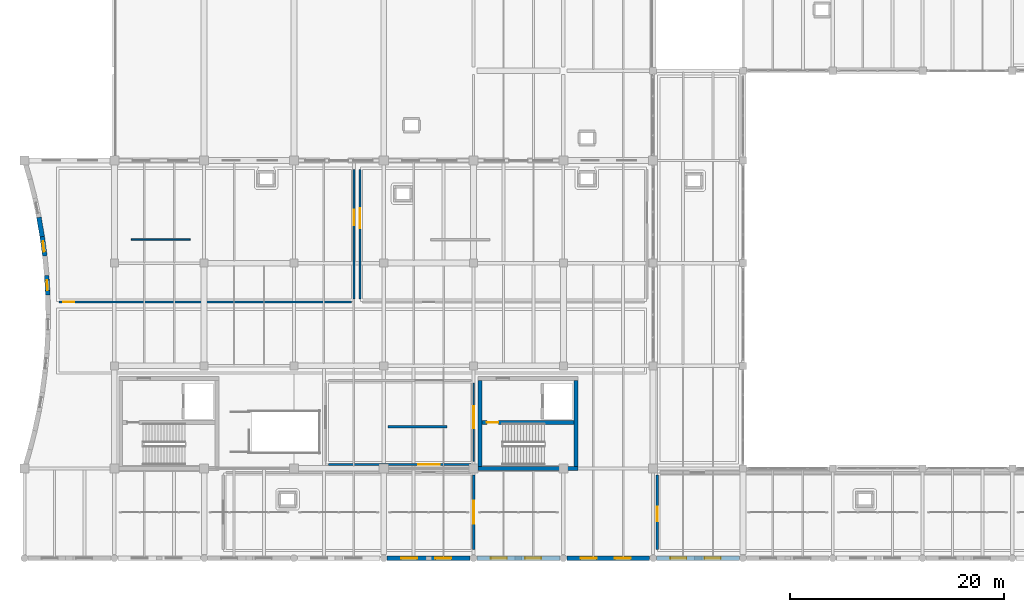
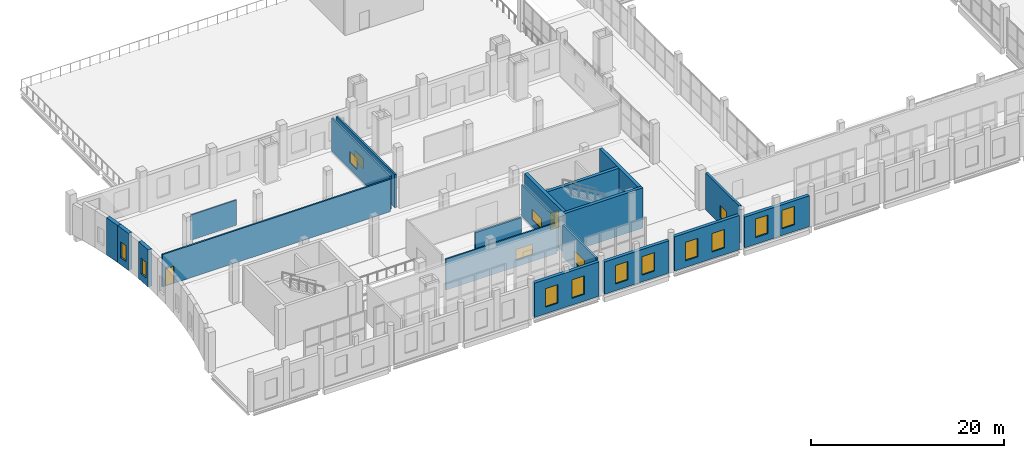
# One storey, part 55 of 73: 20 walls, 16 windows, 2 doors, 18 openings.
"""IFC4 building model written with IfcOpenShell, lengths in metres."""

from ifc_helpers import new_model, si_unit, direction, frame, frame_2d, origin, place, context, subcontext, project, spatial, rectangle, extrude, material, layer, layer_set, type_object, element, fill, save


model = new_model("IFC4")

# Units and contexts
model_context = context("Model", 3, precision=1e-05, world=origin(), true_north=direction((0.0, 1.0)))
body_context = subcontext(model_context, "Body", "Model", "MODEL_VIEW")
ifc_project = project(units=[si_unit("LENGTHUNIT", "METRE"), si_unit("AREAUNIT", "SQUARE_METRE"), si_unit("VOLUMEUNIT", "CUBIC_METRE"), si_unit("PLANEANGLEUNIT", "RADIAN"), si_unit("MASSUNIT", "GRAM", prefix="KILO")], contexts=[model_context])

# Site, building, storey
site_placement = place(None, origin())
site = spatial("IfcSite", under=ifc_project, at=site_placement, CompositionType="ELEMENT")
building_placement = place(site_placement, origin())
building = spatial("IfcBuilding", under=site, at=building_placement, Name="Zulmaris Art Gallery", CompositionType="ELEMENT")
storey_placement = place(building_placement, frame((0.0, 0.0, 10.5)))
storey = spatial("IfcBuildingStorey", under=building, at=storey_placement, Name="L02", CompositionType="ELEMENT", Elevation=10.5)

# Wall, opening, window
ifc_material_1 = material(Name="Omani Cream Limestone Ashlar Masonry", Category="masonry")
ifc_layer_1 = layer(ifc_material_1, 0.43994140625)
ifc_layer_set_1 = layer_set([ifc_layer_1], Name="Omani Cream Limestone Ashlar Masonry")
wall_type_1 = type_object("IfcWallType", Name="ENV-WALL-EW01", PredefinedType="SOLIDWALL", material=ifc_layer_set_1)
wall_1_placement = place(storey_placement, frame((26.176025390625, 37.82763671875, 0.0), z_axis=(0.0, 0.0, 1.0), x_axis=(-0.057023168702, 0.998372855316, 0.0)))
wall_1 = element("IfcWall", 1, at=wall_1_placement, inside=storey, type_object=wall_type_1, Name="L02 Concave Scooped Limestone Chord 10", PredefinedType="SOLIDWALL", context=body_context, shape_type="SweptSolid", body=[
    extrude(rectangle(XDim=1.828125, YDim=0.43994140625, at=frame_2d((0.9140625, 0.0))), origin(), (0.0, 0.0, 1.0), 4.699951171875),
])
opening_1_placement = place(wall_1_placement, frame((0.419921875, 0.0, 0.89990234375)))
opening_1 = element("IfcOpeningElement", 2, at=opening_1_placement, cuts=wall_1, Name="Opening W06", PredefinedType="OPENING", context=body_context, shape_type="SweptSolid", body=[
    extrude(rectangle(XDim=0.949951171875, YDim=2.0, at=frame_2d((0.47509765625, 1.0))), frame((0.0, 0.22998046875, 0.0), z_axis=(0.0, -1.0, 0.0), x_axis=(1.0, 0.0, 0.0)), (0.0, 0.0, 1.0), 0.4599609375),
])
ifc_material_2 = material(Name="Art Deco Stepped-Head Pier Window", Category="glass")
window_type_1 = type_object("IfcWindowType", Name="WIN-W06", PartitioningType="SINGLE_PANEL", PredefinedType="WINDOW", material=ifc_material_2)
window_1_placement = place(opening_1_placement, origin())
window_1 = element("IfcWindow", 3, at=window_1_placement, inside=storey, type_object=window_type_1, Name="L02 exterior window W06", OverallHeight=2.0, OverallWidth=0.949951171875, PartitioningType="SINGLE_PANEL", PredefinedType="WINDOW", context=body_context, shape_type="SweptSolid", body=[
    extrude(rectangle(XDim=0.949951171875, YDim=2.0, at=frame_2d((0.47509765625, 1.0))), frame((0.0, 0.030029296875, 0.0), z_axis=(0.0, -1.0, 0.0), x_axis=(1.0, 0.0, 0.0)), (0.0, 0.0, 1.0), 0.06005859375),
])
fill(opening_1, window_1)

wall_2_placement = place(storey_placement, frame((25.89794921875, 41.472412109375, 0.0), z_axis=(0.0, 0.0, 1.0), x_axis=(-0.132872205914, 0.991133178183, 0.0)))
wall_2 = element("IfcWall", 4, at=wall_2_placement, inside=storey, type_object=wall_type_1, Name="L02 Concave Scooped Limestone Chord 12", PredefinedType="SOLIDWALL", context=body_context, shape_type="SweptSolid", body=[
    extrude(rectangle(XDim=1.828125, YDim=0.43994140625, at=frame_2d((0.9140625, 0.0))), origin(), (0.0, 0.0, 1.0), 4.699951171875),
])
opening_2_placement = place(wall_2_placement, frame((0.419921875, 0.0, 0.89990234375)))
opening_2 = element("IfcOpeningElement", 5, at=opening_2_placement, cuts=wall_2, Name="Opening W06", PredefinedType="OPENING", context=body_context, shape_type="SweptSolid", body=[
    extrude(rectangle(XDim=0.949951171875, YDim=2.0, at=frame_2d((0.47509765625, 1.0))), frame((0.0, 0.22998046875, 0.0), z_axis=(0.0, -1.0, 0.0), x_axis=(1.0, 0.0, 0.0)), (0.0, 0.0, 1.0), 0.4599609375),
])
window_2_placement = place(opening_2_placement, origin())
window_2 = element("IfcWindow", 6, at=window_2_placement, inside=storey, type_object=window_type_1, Name="L02 exterior window W06", OverallHeight=2.0, OverallWidth=0.949951171875, PartitioningType="SINGLE_PANEL", PredefinedType="WINDOW", context=body_context, shape_type="SweptSolid", body=[
    extrude(rectangle(XDim=0.949951171875, YDim=2.0, at=frame_2d((0.47509765625, 1.0))), frame((0.0, 0.030029296875, 0.0), z_axis=(0.0, -1.0, 0.0), x_axis=(1.0, 0.0, 0.0)), (0.0, 0.0, 1.0), 0.06005859375),
])
fill(opening_2, window_2)

# Wall
wall_3_placement = place(storey_placement, frame((25.655029296875, 43.284423828125, 0.0), z_axis=(0.0, 0.0, 1.0), x_axis=(-0.170546420939, 0.985349642667, 0.0)))
element("IfcWall", 7, at=wall_3_placement, inside=storey, type_object=wall_type_1, Name="L02 Concave Scooped Limestone Chord 13", PredefinedType="SOLIDWALL", context=body_context, shape_type="SweptSolid", body=[
    extrude(rectangle(XDim=1.828125, YDim=0.43994140625, at=frame_2d((0.9140625, 0.0))), origin(), (0.0, 0.0, 1.0), 4.699951171875),
])

# Wall, openings, windows
ifc_material_3 = material(Name="Omani Desert Rose Limestone Cladding Wall", Category="masonry")
ifc_layer_2 = layer(ifc_material_3, 0.389892578125)
ifc_layer_set_2 = layer_set([ifc_layer_2], Name="Omani Desert Rose Limestone Cladding Wall")
wall_type_2 = type_object("IfcWallType", Name="ENV-WALL-EW02", PredefinedType="SOLIDWALL", material=ifc_layer_set_2)
wall_4_placement = place(storey_placement, frame((57.927001953125, 13.199951171875, 0.0), z_axis=(0.0, 0.0, 1.0), x_axis=(1.0, 0.0, 0.0)))
wall_4 = element("IfcWall", 8, at=wall_4_placement, inside=storey, type_object=wall_type_2, Name="L02 V2 South Street Wall 5", PredefinedType="SOLIDWALL", context=body_context, shape_type="SweptSolid", body=[
    extrude(rectangle(XDim=7.74609375, YDim=0.389892578125, at=frame_2d((3.873046875, 0.0))), origin(), (0.0, 0.0, 1.0), 4.35009765625),
])
opening_3_placement = place(wall_4_placement, frame((1.29296875, 0.0, 0.85009765625)))
opening_3 = element("IfcOpeningElement", 9, at=opening_3_placement, cuts=wall_4, Name="Opening W07", PredefinedType="OPENING", context=body_context, shape_type="SweptSolid", body=[
    extrude(rectangle(XDim=1.5, YDim=2.35009765625, at=frame_2d((0.75, 1.175048828125))), frame((0.0, 0.204833984375, 0.0), z_axis=(0.0, -1.0, 0.0), x_axis=(1.0, 0.0, 0.0)), (0.0, 0.0, 1.0), 0.409912109375),
])
opening_4_placement = place(wall_4_placement, frame((4.492919921875, 0.0, 0.85009765625)))
opening_4 = element("IfcOpeningElement", 10, at=opening_4_placement, cuts=wall_4, Name="Opening W07", PredefinedType="OPENING", context=body_context, shape_type="SweptSolid", body=[
    extrude(rectangle(XDim=1.5, YDim=2.35009765625, at=frame_2d((0.75, 1.175048828125))), frame((0.0, 0.204833984375, 0.0), z_axis=(0.0, -1.0, 0.0), x_axis=(1.0, 0.0, 0.0)), (0.0, 0.0, 1.0), 0.409912109375),
])
ifc_material_4 = material(Name="Gallery Cloister Bronze Window", Category="glass")
window_type_2 = type_object("IfcWindowType", Name="WIN-W07", PartitioningType="SINGLE_PANEL", PredefinedType="WINDOW", material=ifc_material_4)
window_3_placement = place(opening_3_placement, origin())
window_3 = element("IfcWindow", 11, at=window_3_placement, inside=storey, type_object=window_type_2, Name="L02 exterior window W07", OverallHeight=2.35009765625, OverallWidth=1.5, PartitioningType="SINGLE_PANEL", PredefinedType="WINDOW", context=body_context, shape_type="SweptSolid", body=[
    extrude(rectangle(XDim=1.5, YDim=2.35009765625, at=frame_2d((0.75, 1.175048828125))), frame((0.0, 0.030029296875, 0.0), z_axis=(0.0, -1.0, 0.0), x_axis=(1.0, 0.0, 0.0)), (0.0, 0.0, 1.0), 0.06005859375),
])
fill(opening_3, window_3)
window_4_placement = place(opening_4_placement, origin())
window_4 = element("IfcWindow", 12, at=window_4_placement, inside=storey, type_object=window_type_2, Name="L02 exterior window W07", OverallHeight=2.35009765625, OverallWidth=1.5, PartitioningType="SINGLE_PANEL", PredefinedType="WINDOW", context=body_context, shape_type="SweptSolid", body=[
    extrude(rectangle(XDim=1.5, YDim=2.35009765625, at=frame_2d((0.75, 1.175048828125))), frame((0.0, 0.030029296875, 0.0), z_axis=(0.0, -1.0, 0.0), x_axis=(1.0, 0.0, 0.0)), (0.0, 0.0, 1.0), 0.06005859375),
])
fill(opening_4, window_4)

wall_5_placement = place(storey_placement, frame((66.326904296875, 13.199951171875, 0.0), z_axis=(0.0, 0.0, 1.0), x_axis=(1.0, 0.0, 0.0)))
wall_5 = element("IfcWall", 13, at=wall_5_placement, inside=storey, type_object=wall_type_2, Name="L02 V2 South Street Wall 6", PredefinedType="SOLIDWALL", context=body_context, shape_type="SweptSolid", body=[
    extrude(rectangle(XDim=7.74609375, YDim=0.389892578125, at=frame_2d((3.873046875, 0.0))), origin(), (0.0, 0.0, 1.0), 4.10009765625),
])
opening_5_placement = place(wall_5_placement, frame((1.29296875, 0.0, 0.85009765625)))
opening_5 = element("IfcOpeningElement", 14, at=opening_5_placement, cuts=wall_5, Name="Opening W07", PredefinedType="OPENING", context=body_context, shape_type="SweptSolid", body=[
    extrude(rectangle(XDim=1.5, YDim=2.35009765625, at=frame_2d((0.75, 1.175048828125))), frame((0.0, 0.204833984375, 0.0), z_axis=(0.0, -1.0, 0.0), x_axis=(1.0, 0.0, 0.0)), (0.0, 0.0, 1.0), 0.409912109375),
])
opening_6_placement = place(wall_5_placement, frame((4.492919921875, 0.0, 0.85009765625)))
opening_6 = element("IfcOpeningElement", 15, at=opening_6_placement, cuts=wall_5, Name="Opening W07", PredefinedType="OPENING", context=body_context, shape_type="SweptSolid", body=[
    extrude(rectangle(XDim=1.5, YDim=2.35009765625, at=frame_2d((0.75, 1.175048828125))), frame((0.0, 0.204833984375, 0.0), z_axis=(0.0, -1.0, 0.0), x_axis=(1.0, 0.0, 0.0)), (0.0, 0.0, 1.0), 0.409912109375),
])
window_5_placement = place(opening_5_placement, origin())
window_5 = element("IfcWindow", 16, at=window_5_placement, inside=storey, type_object=window_type_2, Name="L02 exterior window W07", OverallHeight=2.35009765625, OverallWidth=1.5, PartitioningType="SINGLE_PANEL", PredefinedType="WINDOW", context=body_context, shape_type="SweptSolid", body=[
    extrude(rectangle(XDim=1.5, YDim=2.35009765625, at=frame_2d((0.75, 1.175048828125))), frame((0.0, 0.030029296875, 0.0), z_axis=(0.0, -1.0, 0.0), x_axis=(1.0, 0.0, 0.0)), (0.0, 0.0, 1.0), 0.06005859375),
])
fill(opening_5, window_5)
window_6_placement = place(opening_6_placement, origin())
window_6 = element("IfcWindow", 17, at=window_6_placement, inside=storey, type_object=window_type_2, Name="L02 exterior window W07", OverallHeight=2.35009765625, OverallWidth=1.5, PartitioningType="SINGLE_PANEL", PredefinedType="WINDOW", context=body_context, shape_type="SweptSolid", body=[
    extrude(rectangle(XDim=1.5, YDim=2.35009765625, at=frame_2d((0.75, 1.175048828125))), frame((0.0, 0.030029296875, 0.0), z_axis=(0.0, -1.0, 0.0), x_axis=(1.0, 0.0, 0.0)), (0.0, 0.0, 1.0), 0.06005859375),
])
fill(opening_6, window_6)

wall_6_placement = place(storey_placement, frame((74.72705078125, 13.199951171875, 0.0), z_axis=(0.0, 0.0, 1.0), x_axis=(1.0, 0.0, 0.0)))
wall_6 = element("IfcWall", 18, at=wall_6_placement, inside=storey, type_object=wall_type_2, Name="L02 V2 South Street Wall 7", PredefinedType="SOLIDWALL", context=body_context, shape_type="SweptSolid", body=[
    extrude(rectangle(XDim=7.745849609375, YDim=0.389892578125, at=frame_2d((3.873046875, 0.0))), origin(), (0.0, 0.0, 1.0), 4.35009765625),
])
opening_7_placement = place(wall_6_placement, frame((1.29296875, 0.0, 0.85009765625)))
opening_7 = element("IfcOpeningElement", 19, at=opening_7_placement, cuts=wall_6, Name="Opening W07", PredefinedType="OPENING", context=body_context, shape_type="SweptSolid", body=[
    extrude(rectangle(XDim=1.5, YDim=2.35009765625, at=frame_2d((0.75, 1.175048828125))), frame((0.0, 0.204833984375, 0.0), z_axis=(0.0, -1.0, 0.0), x_axis=(1.0, 0.0, 0.0)), (0.0, 0.0, 1.0), 0.409912109375),
])
opening_8_placement = place(wall_6_placement, frame((4.492919921875, 0.0, 0.85009765625)))
opening_8 = element("IfcOpeningElement", 20, at=opening_8_placement, cuts=wall_6, Name="Opening W07", PredefinedType="OPENING", context=body_context, shape_type="SweptSolid", body=[
    extrude(rectangle(XDim=1.5, YDim=2.35009765625, at=frame_2d((0.75, 1.175048828125))), frame((0.0, 0.204833984375, 0.0), z_axis=(0.0, -1.0, 0.0), x_axis=(1.0, 0.0, 0.0)), (0.0, 0.0, 1.0), 0.409912109375),
])
window_7_placement = place(opening_7_placement, origin())
window_7 = element("IfcWindow", 21, at=window_7_placement, inside=storey, type_object=window_type_2, Name="L02 exterior window W07", OverallHeight=2.35009765625, OverallWidth=1.5, PartitioningType="SINGLE_PANEL", PredefinedType="WINDOW", context=body_context, shape_type="SweptSolid", body=[
    extrude(rectangle(XDim=1.5, YDim=2.35009765625, at=frame_2d((0.75, 1.175048828125))), frame((0.0, 0.030029296875, 0.0), z_axis=(0.0, -1.0, 0.0), x_axis=(1.0, 0.0, 0.0)), (0.0, 0.0, 1.0), 0.06005859375),
])
fill(opening_7, window_7)
window_8_placement = place(opening_8_placement, origin())
window_8 = element("IfcWindow", 22, at=window_8_placement, inside=storey, type_object=window_type_2, Name="L02 exterior window W07", OverallHeight=2.35009765625, OverallWidth=1.5, PartitioningType="SINGLE_PANEL", PredefinedType="WINDOW", context=body_context, shape_type="SweptSolid", body=[
    extrude(rectangle(XDim=1.5, YDim=2.35009765625, at=frame_2d((0.75, 1.175048828125))), frame((0.0, 0.030029296875, 0.0), z_axis=(0.0, -1.0, 0.0), x_axis=(1.0, 0.0, 0.0)), (0.0, 0.0, 1.0), 0.06005859375),
])
fill(opening_8, window_8)

wall_7_placement = place(storey_placement, frame((83.126953125, 13.199951171875, 0.0), z_axis=(0.0, 0.0, 1.0), x_axis=(1.0, 0.0, 0.0)))
wall_7 = element("IfcWall", 23, at=wall_7_placement, inside=storey, type_object=wall_type_2, Name="L02 V2 South Street Wall 8", PredefinedType="SOLIDWALL", context=body_context, shape_type="SweptSolid", body=[
    extrude(rectangle(XDim=7.74609375, YDim=0.389892578125, at=frame_2d((3.873046875, 0.0))), origin(), (0.0, 0.0, 1.0), 3.89990234375),
])
opening_9_placement = place(wall_7_placement, frame((1.29296875, 0.0, 0.85009765625)))
opening_9 = element("IfcOpeningElement", 24, at=opening_9_placement, cuts=wall_7, Name="Opening W07", PredefinedType="OPENING", context=body_context, shape_type="SweptSolid", body=[
    extrude(rectangle(XDim=1.5, YDim=2.35009765625, at=frame_2d((0.75, 1.175048828125))), frame((0.0, 0.204833984375, 0.0), z_axis=(0.0, -1.0, 0.0), x_axis=(1.0, 0.0, 0.0)), (0.0, 0.0, 1.0), 0.409912109375),
])
opening_10_placement = place(wall_7_placement, frame((4.492919921875, 0.0, 0.85009765625)))
opening_10 = element("IfcOpeningElement", 25, at=opening_10_placement, cuts=wall_7, Name="Opening W07", PredefinedType="OPENING", context=body_context, shape_type="SweptSolid", body=[
    extrude(rectangle(XDim=1.5, YDim=2.35009765625, at=frame_2d((0.75, 1.175048828125))), frame((0.0, 0.204833984375, 0.0), z_axis=(0.0, -1.0, 0.0), x_axis=(1.0, 0.0, 0.0)), (0.0, 0.0, 1.0), 0.409912109375),
])
window_9_placement = place(opening_9_placement, origin())
window_9 = element("IfcWindow", 26, at=window_9_placement, inside=storey, type_object=window_type_2, Name="L02 exterior window W07", OverallHeight=2.35009765625, OverallWidth=1.5, PartitioningType="SINGLE_PANEL", PredefinedType="WINDOW", context=body_context, shape_type="SweptSolid", body=[
    extrude(rectangle(XDim=1.5, YDim=2.35009765625, at=frame_2d((0.75, 1.175048828125))), frame((0.0, 0.030029296875, 0.0), z_axis=(0.0, -1.0, 0.0), x_axis=(1.0, 0.0, 0.0)), (0.0, 0.0, 1.0), 0.06005859375),
])
fill(opening_9, window_9)
window_10_placement = place(opening_10_placement, origin())
window_10 = element("IfcWindow", 27, at=window_10_placement, inside=storey, type_object=window_type_2, Name="L02 exterior window W07", OverallHeight=2.35009765625, OverallWidth=1.5, PartitioningType="SINGLE_PANEL", PredefinedType="WINDOW", context=body_context, shape_type="SweptSolid", body=[
    extrude(rectangle(XDim=1.5, YDim=2.35009765625, at=frame_2d((0.75, 1.175048828125))), frame((0.0, 0.030029296875, 0.0), z_axis=(0.0, -1.0, 0.0), x_axis=(1.0, 0.0, 0.0)), (0.0, 0.0, 1.0), 0.06005859375),
])
fill(opening_10, window_10)

# Walls
ifc_material_5 = material(Name="Demountable Timber-Clad Exhibition Wall A", Category="wood")
ifc_layer_3 = layer(ifc_material_5, 0.152099609375)
ifc_layer_set_3 = layer_set([ifc_layer_3], Name="Demountable Timber-Clad Exhibition Wall A")
wall_type_3 = type_object("IfcWallType", Name="IWALL-MW01", PredefinedType="MOVABLE", material=ifc_layer_set_3)
wall_8_placement = place(storey_placement, frame((34.0, 43.0, 0.0), z_axis=(0.0, 0.0, 1.0), x_axis=(1.0, 0.0, 0.0)))
element("IfcWall", 28, at=wall_8_placement, inside=storey, type_object=wall_type_3, Name="L02 Movable Gallery Display Wall 9", PredefinedType="MOVABLE", context=body_context, shape_type="SweptSolid", body=[
    extrude(rectangle(XDim=5.5, YDim=0.152099609375, at=frame_2d((2.75, 0.0))), origin(), (0.0, 0.0, 1.0), 3.199951171875),
])
ifc_material_6 = material(Name="Freestanding Sculpture Plinth Screen Wall C", Category="timber")
ifc_layer_4 = layer(ifc_material_6, 0.2119140625)
ifc_layer_set_4 = layer_set([ifc_layer_4], Name="Freestanding Sculpture Plinth Screen Wall C")
wall_type_4 = type_object("IfcWallType", Name="IWALL-MW03", PredefinedType="MOVABLE", material=ifc_layer_set_4)
wall_9_placement = place(storey_placement, frame((58.0, 25.5, 0.0), z_axis=(0.0, 0.0, 1.0), x_axis=(1.0, 0.0, 0.0)))
element("IfcWall", 29, at=wall_9_placement, inside=storey, type_object=wall_type_4, Name="L02 Movable Gallery Display Wall 11", PredefinedType="MOVABLE", context=body_context, shape_type="SweptSolid", body=[
    extrude(rectangle(XDim=5.5, YDim=0.2119140625, at=frame_2d((2.75, 0.0))), origin(), (0.0, 0.0, 1.0), 3.199951171875),
])

# Wall, opening, window
ifc_material_7 = material(Name="Acoustic Studio Separation Partition", Category="gypsum")
ifc_layer_5 = layer(ifc_material_7, 0.175048828125)
ifc_layer_set_5 = layer_set([ifc_layer_5], Name="Acoustic Studio Separation Partition")
wall_type_5 = type_object("IfcWallType", Name="IWALL-PW06", PredefinedType="PARTITIONING", material=ifc_layer_set_5)
wall_10_placement = place(storey_placement, frame((52.429931640625, 21.97998046875, 0.0), z_axis=(0.0, 0.0, 1.0), x_axis=(1.0, 0.0, 0.0)))
wall_10 = element("IfcWall", 30, at=wall_10_placement, inside=storey, type_object=wall_type_5, Name="Works on Paper & Rare Prints Gallery S partition", PredefinedType="PARTITIONING", context=body_context, shape_type="SweptSolid", body=[
    extrude(rectangle(XDim=13.340087890625, YDim=0.175048828125, at=frame_2d((6.669921875, 0.0))), origin(), (0.0, 0.0, 1.0), 3.89990234375),
])
opening_11_placement = place(wall_10_placement, frame((8.39990234375, 0.0, 0.89990234375)))
opening_11 = element("IfcOpeningElement", 31, at=opening_11_placement, cuts=wall_10, Name="Opening IW10", PredefinedType="OPENING", context=body_context, shape_type="SweptSolid", body=[
    extrude(rectangle(XDim=2.02001953125, YDim=1.320068359375, at=frame_2d((1.010009765625, 0.66015625))), frame((0.0, 0.097412109375, 0.0), z_axis=(0.0, -1.0, 0.0), x_axis=(1.0, 0.0, 0.0)), (0.0, 0.0, 1.0), 0.195068359375),
])
ifc_material_8 = material(Name="Seminar Acoustic Viewing Window", Category="glass")
window_type_3 = type_object("IfcWindowType", Name="IWIN-IW10", PartitioningType="SINGLE_PANEL", PredefinedType="WINDOW", material=ifc_material_8)
window_11_placement = place(opening_11_placement, origin())
window_11 = element("IfcWindow", 32, at=window_11_placement, inside=storey, type_object=window_type_3, Name="L02 interior observation window IW10", OverallHeight=1.320068359375, OverallWidth=2.02001953125, PartitioningType="SINGLE_PANEL", PredefinedType="WINDOW", context=body_context, shape_type="SweptSolid", body=[
    extrude(rectangle(XDim=2.02001953125, YDim=1.320068359375, at=frame_2d((1.010009765625, 0.66015625))), frame((0.0, 0.030029296875, 0.0), z_axis=(0.0, -1.0, 0.0), x_axis=(1.0, 0.0, 0.0)), (0.0, 0.0, 1.0), 0.06005859375),
])
fill(opening_11, window_11)

wall_11_placement = place(storey_placement, frame((66.02001953125, 22.22998046875, 0.0), z_axis=(0.0, 0.0, 1.0), x_axis=(0.0, 1.0, 0.0)))
wall_11 = element("IfcWall", 33, at=wall_11_placement, inside=storey, type_object=wall_type_5, Name="Works on Paper & Rare Prints Gallery E partition", PredefinedType="PARTITIONING", context=body_context, shape_type="SweptSolid", body=[
    extrude(rectangle(XDim=7.340087890625, YDim=0.175048828125, at=frame_2d((3.669921875, 0.0))), origin(), (0.0, 0.0, 1.0), 4.0),
])
opening_12_placement = place(wall_11_placement, frame((3.14990234375, 0.0, 0.89990234375)))
opening_12 = element("IfcOpeningElement", 34, at=opening_12_placement, cuts=wall_11, Name="Opening IW10", PredefinedType="OPENING", context=body_context, shape_type="SweptSolid", body=[
    extrude(rectangle(XDim=2.02001953125, YDim=1.320068359375, at=frame_2d((1.010009765625, 0.66015625))), frame((0.0, 0.097412109375, 0.0), z_axis=(0.0, -1.0, 0.0), x_axis=(1.0, 0.0, 0.0)), (0.0, 0.0, 1.0), 0.195068359375),
])
window_12_placement = place(opening_12_placement, origin())
window_12 = element("IfcWindow", 35, at=window_12_placement, inside=storey, type_object=window_type_3, Name="L02 interior observation window IW10", OverallHeight=1.320068359375, OverallWidth=2.02001953125, PartitioningType="SINGLE_PANEL", PredefinedType="WINDOW", context=body_context, shape_type="SweptSolid", body=[
    extrude(rectangle(XDim=2.02001953125, YDim=1.320068359375, at=frame_2d((1.010009765625, 0.66015625))), frame((0.0, 0.030029296875, 0.0), z_axis=(0.0, -1.0, 0.0), x_axis=(1.0, 0.0, 0.0)), (0.0, 0.0, 1.0), 0.06005859375),
])
fill(opening_12, window_12)

# Wall, opening, door
ifc_material_9 = material(Name="Conservation Laboratory Partition", Category="masonry")
ifc_layer_6 = layer(ifc_material_9, 0.18994140625)
ifc_layer_set_6 = layer_set([ifc_layer_6], Name="Conservation Laboratory Partition")
wall_type_6 = type_object("IfcWallType", Name="IWALL-PW07", PredefinedType="PARTITIONING", material=ifc_layer_set_6)
wall_12_placement = place(storey_placement, frame((27.22998046875, 37.179931640625, 0.0), z_axis=(0.0, 0.0, 1.0), x_axis=(1.0, 0.0, 0.0)))
wall_12 = element("IfcWall", 36, at=wall_12_placement, inside=storey, type_object=wall_type_6, Name="Photography & Moving Image Gallery S partition", PredefinedType="PARTITIONING", context=body_context, shape_type="SweptSolid", body=[
    extrude(rectangle(XDim=27.340087890625, YDim=0.18994140625, at=frame_2d((13.669921875, 0.0))), origin(), (0.0, 0.0, 1.0), 4.10009765625),
])
opening_13_placement = place(wall_12_placement, frame((0.39990234375, 0.0, 0.0)))
opening_13 = element("IfcOpeningElement", 37, at=opening_13_placement, cuts=wall_12, Name="Opening D04", PredefinedType="OPENING", context=body_context, shape_type="SweptSolid", body=[
    extrude(rectangle(XDim=1.0, YDim=2.159912109375, at=frame_2d((0.5, 1.080078125))), frame((0.0, 0.10498046875, 0.0), z_axis=(0.0, -1.0, 0.0), x_axis=(1.0, 0.0, 0.0)), (0.0, 0.0, 1.0), 0.2099609375),
])
ifc_material_10 = material(Name="Curatorial Office Acoustic Timber Door", Category="wood")
door_type_1 = type_object("IfcDoorType", Name="IDOOR-D04", OperationType="NOTDEFINED", PredefinedType="DOOR", material=ifc_material_10)
door_1_placement = place(opening_13_placement, origin())
door_1 = element("IfcDoor", 38, at=door_1_placement, inside=storey, type_object=door_type_1, Name="Photography & Moving Image Gallery Door", OperationType="SINGLE_SWING_LEFT", OverallHeight=2.159912109375, OverallWidth=1.0, PredefinedType="DOOR", context=body_context, shape_type="SweptSolid", body=[
    extrude(rectangle(XDim=1.0, YDim=2.159912109375, at=frame_2d((0.5, 1.080078125))), frame((0.0, 0.02490234375, 0.0), z_axis=(0.0, -1.0, 0.0), x_axis=(1.0, 0.0, 0.0)), (0.0, 0.0, 1.0), 0.050048828125),
])
fill(opening_13, door_1)

# Wall, opening, window
wall_13_placement = place(storey_placement, frame((54.820068359375, 37.429931640625, 0.0), z_axis=(0.0, 0.0, 1.0), x_axis=(0.0, 1.0, 0.0)))
wall_13 = element("IfcWall", 39, at=wall_13_placement, inside=storey, type_object=wall_type_6, Name="Photography & Moving Image Gallery E partition", PredefinedType="PARTITIONING", context=body_context, shape_type="SweptSolid", body=[
    extrude(rectangle(XDim=12.14013671875, YDim=0.18994140625, at=frame_2d((6.070068359375, 0.0))), origin(), (0.0, 0.0, 1.0), 4.22998046875),
])
opening_14_placement = place(wall_13_placement, frame((6.89990234375, 0.0, 0.89990234375)))
opening_14 = element("IfcOpeningElement", 40, at=opening_14_placement, cuts=wall_13, Name="Opening IW01", PredefinedType="OPENING", context=body_context, shape_type="SweptSolid", body=[
    extrude(rectangle(XDim=1.47998046875, YDim=1.35009765625, at=frame_2d((0.739990234375, 0.675048828125))), frame((0.0, 0.10498046875, 0.0), z_axis=(0.0, -1.0, 0.0), x_axis=(1.0, 0.0, 0.0)), (0.0, 0.0, 1.0), 0.2099609375),
])
ifc_material_11 = material(Name="Conservation Studio Viewing Window", Category="glass")
window_type_4 = type_object("IfcWindowType", Name="IWIN-IW01", PartitioningType="SINGLE_PANEL", PredefinedType="WINDOW", material=ifc_material_11)
window_13_placement = place(opening_14_placement, origin())
window_13 = element("IfcWindow", 41, at=window_13_placement, inside=storey, type_object=window_type_4, Name="L02 interior observation window IW01", OverallHeight=1.35009765625, OverallWidth=1.47998046875, PartitioningType="SINGLE_PANEL", PredefinedType="WINDOW", context=body_context, shape_type="SweptSolid", body=[
    extrude(rectangle(XDim=1.47998046875, YDim=1.35009765625, at=frame_2d((0.739990234375, 0.675048828125))), frame((0.0, 0.030029296875, 0.0), z_axis=(0.0, -1.0, 0.0), x_axis=(1.0, 0.0, 0.0)), (0.0, 0.0, 1.0), 0.06005859375),
])
fill(opening_14, window_13)

ifc_material_12 = material(Name="Fire-Rated Corridor Compartment Wall", Category="masonry")
ifc_layer_7 = layer(ifc_material_12, 0.205078125)
ifc_layer_set_7 = layer_set([ifc_layer_7], Name="Fire-Rated Corridor Compartment Wall")
wall_type_7 = type_object("IfcWallType", Name="IWALL-PW08", PredefinedType="PARTITIONING", material=ifc_layer_set_7)
wall_14_placement = place(storey_placement, frame((55.3798828125, 37.429931640625, 0.0), z_axis=(0.0, 0.0, 1.0), x_axis=(0.0, 1.0, 0.0)))
wall_14 = element("IfcWall", 42, at=wall_14_placement, inside=storey, type_object=wall_type_7, Name="Terrace Overlook Salon W partition", PredefinedType="PARTITIONING", context=body_context, shape_type="SweptSolid", body=[
    extrude(rectangle(XDim=12.14013671875, YDim=0.205078125, at=frame_2d((6.070068359375, 0.0))), origin(), (0.0, 0.0, 1.0), 4.22998046875),
])
opening_15_placement = place(wall_14_placement, frame((6.64990234375, 0.0, 0.89990234375)))
opening_15 = element("IfcOpeningElement", 43, at=opening_15_placement, cuts=wall_14, Name="Opening IW02", PredefinedType="OPENING", context=body_context, shape_type="SweptSolid", body=[
    extrude(rectangle(XDim=1.860107421875, YDim=1.280029296875, at=frame_2d((0.93017578125, 0.64013671875))), frame((0.0, 0.112548828125, 0.0), z_axis=(0.0, -1.0, 0.0), x_axis=(1.0, 0.0, 0.0)), (0.0, 0.0, 1.0), 0.22509765625),
])
ifc_material_13 = material(Name="Auditorium Booth Acoustic Window", Category="glass")
window_type_5 = type_object("IfcWindowType", Name="IWIN-IW02", PartitioningType="SINGLE_PANEL", PredefinedType="WINDOW", material=ifc_material_13)
window_14_placement = place(opening_15_placement, origin())
window_14 = element("IfcWindow", 44, at=window_14_placement, inside=storey, type_object=window_type_5, Name="L02 interior observation window IW02", OverallHeight=1.280029296875, OverallWidth=1.860107421875, PartitioningType="SINGLE_PANEL", PredefinedType="WINDOW", context=body_context, shape_type="SweptSolid", body=[
    extrude(rectangle(XDim=1.860107421875, YDim=1.280029296875, at=frame_2d((0.93017578125, 0.64013671875))), frame((0.0, 0.030029296875, 0.0), z_axis=(0.0, -1.0, 0.0), x_axis=(1.0, 0.0, 0.0)), (0.0, 0.0, 1.0), 0.06005859375),
])
fill(opening_15, window_14)

ifc_material_14 = material(Name="Hygrometric Art Store Buffer Wall", Category="masonry")
ifc_layer_8 = layer(ifc_material_14, 0.219970703125)
ifc_layer_set_8 = layer_set([ifc_layer_8], Name="Hygrometric Art Store Buffer Wall")
wall_type_8 = type_object("IfcWallType", Name="IWALL-PW09", PredefinedType="PARTITIONING", material=ifc_layer_set_8)
wall_15_placement = place(storey_placement, frame((66.02001953125, 14.030029296875, 0.0), z_axis=(0.0, 0.0, 1.0), x_axis=(0.0, 1.0, 0.0)))
wall_15 = element("IfcWall", 45, at=wall_15_placement, inside=storey, type_object=wall_type_8, Name="South Upper Arcade Gallery E partition", PredefinedType="PARTITIONING", context=body_context, shape_type="SweptSolid", body=[
    extrude(rectangle(XDim=6.93994140625, YDim=0.219970703125, at=frame_2d((3.469970703125, 0.0))), origin(), (0.0, 0.0, 1.0), 4.10009765625),
])
opening_16_placement = place(wall_15_placement, frame((2.39990234375, 0.0, 0.89990234375)))
opening_16 = element("IfcOpeningElement", 46, at=opening_16_placement, cuts=wall_15, Name="Opening IW03", PredefinedType="OPENING", context=body_context, shape_type="SweptSolid", body=[
    extrude(rectangle(XDim=2.159912109375, YDim=1.419921875, at=frame_2d((1.080078125, 0.7099609375))), frame((0.0, 0.119873046875, 0.0), z_axis=(0.0, -1.0, 0.0), x_axis=(1.0, 0.0, 0.0)), (0.0, 0.0, 1.0), 0.239990234375),
])
ifc_material_15 = material(Name="Analytical Lab Observation Window", Category="glass")
window_type_6 = type_object("IfcWindowType", Name="IWIN-IW03", PartitioningType="SINGLE_PANEL", PredefinedType="WINDOW", material=ifc_material_15)
window_15_placement = place(opening_16_placement, origin())
window_15 = element("IfcWindow", 47, at=window_15_placement, inside=storey, type_object=window_type_6, Name="L02 interior observation window IW03", OverallHeight=1.419921875, OverallWidth=2.159912109375, PartitioningType="SINGLE_PANEL", PredefinedType="WINDOW", context=body_context, shape_type="SweptSolid", body=[
    extrude(rectangle(XDim=2.159912109375, YDim=1.419921875, at=frame_2d((1.080078125, 0.7099609375))), frame((0.0, 0.030029296875, 0.0), z_axis=(0.0, -1.0, 0.0), x_axis=(1.0, 0.0, 0.0)), (0.0, 0.0, 1.0), 0.06005859375),
])
fill(opening_16, window_15)

ifc_material_16 = material(Name="Plant & Substation Acoustic Blockwork Wall", Category="masonry")
ifc_layer_9 = layer(ifc_material_16, 0.27001953125)
ifc_layer_set_9 = layer_set([ifc_layer_9], Name="Plant & Substation Acoustic Blockwork Wall")
wall_type_9 = type_object("IfcWallType", Name="IWALL-PW12", PredefinedType="PARTITIONING", material=ifc_layer_set_9)
wall_16_placement = place(storey_placement, frame((83.179931640625, 14.030029296875, 0.0), z_axis=(0.0, 0.0, 1.0), x_axis=(0.0, 1.0, 0.0)))
wall_16 = element("IfcWall", 48, at=wall_16_placement, inside=storey, type_object=wall_type_9, Name="Members Lounge & Court Overlook W partition", PredefinedType="PARTITIONING", context=body_context, shape_type="SweptSolid", body=[
    extrude(rectangle(XDim=6.93994140625, YDim=0.27001953125, at=frame_2d((3.469970703125, 0.0))), origin(), (0.0, 0.0, 1.0), 4.719970703125),
])
opening_17_placement = place(wall_16_placement, frame((2.64990234375, 0.0, 0.89990234375)))
opening_17 = element("IfcOpeningElement", 49, at=opening_17_placement, cuts=wall_16, Name="Opening IW04", PredefinedType="OPENING", context=body_context, shape_type="SweptSolid", body=[
    extrude(rectangle(XDim=1.320068359375, YDim=1.5, at=frame_2d((0.66015625, 0.75))), frame((0.0, 0.14501953125, 0.0), z_axis=(0.0, -1.0, 0.0), x_axis=(1.0, 0.0, 0.0)), (0.0, 0.0, 1.0), 0.2900390625),
])
ifc_material_17 = material(Name="Curatorial Study Vitrine Window", Category="glass")
window_type_7 = type_object("IfcWindowType", Name="IWIN-IW04", PartitioningType="SINGLE_PANEL", PredefinedType="WINDOW", material=ifc_material_17)
window_16_placement = place(opening_17_placement, origin())
window_16 = element("IfcWindow", 50, at=window_16_placement, inside=storey, type_object=window_type_7, Name="L02 interior observation window IW04", OverallHeight=1.5, OverallWidth=1.320068359375, PartitioningType="SINGLE_PANEL", PredefinedType="WINDOW", context=body_context, shape_type="SweptSolid", body=[
    extrude(rectangle(XDim=1.320068359375, YDim=1.5, at=frame_2d((0.66015625, 0.75))), frame((0.0, 0.030029296875, 0.0), z_axis=(0.0, -1.0, 0.0), x_axis=(1.0, 0.0, 0.0)), (0.0, 0.0, 1.0), 0.06005859375),
])
fill(opening_17, window_16)

# Walls
ifc_material_18 = material(Name="Concrete C50/60", Category="concrete")
ifc_layer_10 = layer(ifc_material_18, 0.3798828125)
ifc_layer_set_10 = layer_set([ifc_layer_10], Name="Concrete C50/60")
wall_type_10 = type_object("IfcWallType", Name="STR-WALL-SW02", PredefinedType="SHEAR", material=ifc_layer_set_10)
wall_17_placement = place(storey_placement, frame((66.409912109375, 21.60009765625, 0.0), z_axis=(0.0, 0.0, 1.0), x_axis=(1.0, 0.0, 0.0)))
element("IfcWall", 51, at=wall_17_placement, inside=storey, type_object=wall_type_10, Name="Core C2 L02 S shear wall", PredefinedType="SHEAR", context=body_context, shape_type="SweptSolid", body=[
    extrude(rectangle(XDim=9.380126953125, YDim=0.3798828125, at=frame_2d((4.68994140625, 0.0))), origin(), (0.0, 0.0, 1.0), 5.10009765625),
])
for number, where, z_axis, x_axis, name in (
    (52, (66.60009765625, 21.7900390625, 0.0), (0.0, 0.0, 1.0), (0.0, 1.0, 0.0), "Core C2 L02 W shear wall"),
    (53, (75.60009765625, 21.7900390625, 0.0), (0.0, 0.0, 1.0), (0.0, 1.0, 0.0), "Core C2 L02 E shear wall"),
):
    element("IfcWall", number, at=place(storey_placement, frame(where, z_axis=z_axis, x_axis=x_axis)), inside=storey, type_object=wall_type_10, Name=name, PredefinedType="SHEAR", context=body_context, shape_type="SweptSolid", body=[
        extrude(rectangle(XDim=8.02001953125, YDim=0.3798828125, at=frame_2d((4.010009765625, 0.0))), origin(), (0.0, 0.0, 1.0), 5.10009765625),
    ])

# Wall, opening, door
wall_18_placement = place(storey_placement, frame((66.7900390625, 25.909912109375, 0.0), z_axis=(0.0, 0.0, 1.0), x_axis=(1.0, 0.0, 0.0)))
wall_18 = element("IfcWall", 54, at=wall_18_placement, inside=storey, type_object=wall_type_10, Name="Core C2 L02 DIV shear wall", PredefinedType="SHEAR", context=body_context, shape_type="SweptSolid", body=[
    extrude(rectangle(XDim=8.619873046875, YDim=0.3798828125, at=frame_2d((4.31005859375, 0.0))), origin(), (0.0, 0.0, 1.0), 5.10009765625),
])
opening_18_placement = place(wall_18_placement, frame((0.449951171875, 0.0, 0.0)))
opening_18 = element("IfcOpeningElement", 55, at=opening_18_placement, cuts=wall_18, Name="Opening D07", PredefinedType="OPENING", context=body_context, shape_type="SweptSolid", body=[
    extrude(rectangle(XDim=1.080078125, YDim=2.179931640625, at=frame_2d((0.5400390625, 1.08984375))), frame((0.0, 0.199951171875, 0.0), z_axis=(0.0, -1.0, 0.0), x_axis=(1.0, 0.0, 0.0)), (0.0, 0.0, 1.0), 0.39990234375),
])
ifc_material_19 = material(Name="Stairwell Fire Escape Door", Category="steel")
door_type_2 = type_object("IfcDoorType", Name="IDOOR-D07", OperationType="NOTDEFINED", PredefinedType="DOOR", material=ifc_material_19)
door_2_placement = place(opening_18_placement, origin())
door_2 = element("IfcDoor", 56, at=door_2_placement, inside=storey, type_object=door_type_2, Name="Core C2 L02 Stair ST2 Fire Door", OperationType="SINGLE_SWING_LEFT", OverallHeight=2.179931640625, OverallWidth=1.080078125, PredefinedType="DOOR", context=body_context, shape_type="SweptSolid", body=[
    extrude(rectangle(XDim=1.080078125, YDim=2.179931640625, at=frame_2d((0.5400390625, 1.08984375))), frame((0.0, 0.02490234375, 0.0), z_axis=(0.0, -1.0, 0.0), x_axis=(1.0, 0.0, 0.0)), (0.0, 0.0, 1.0), 0.050048828125),
])
fill(opening_18, door_2)

save(model, "model.ifc")
